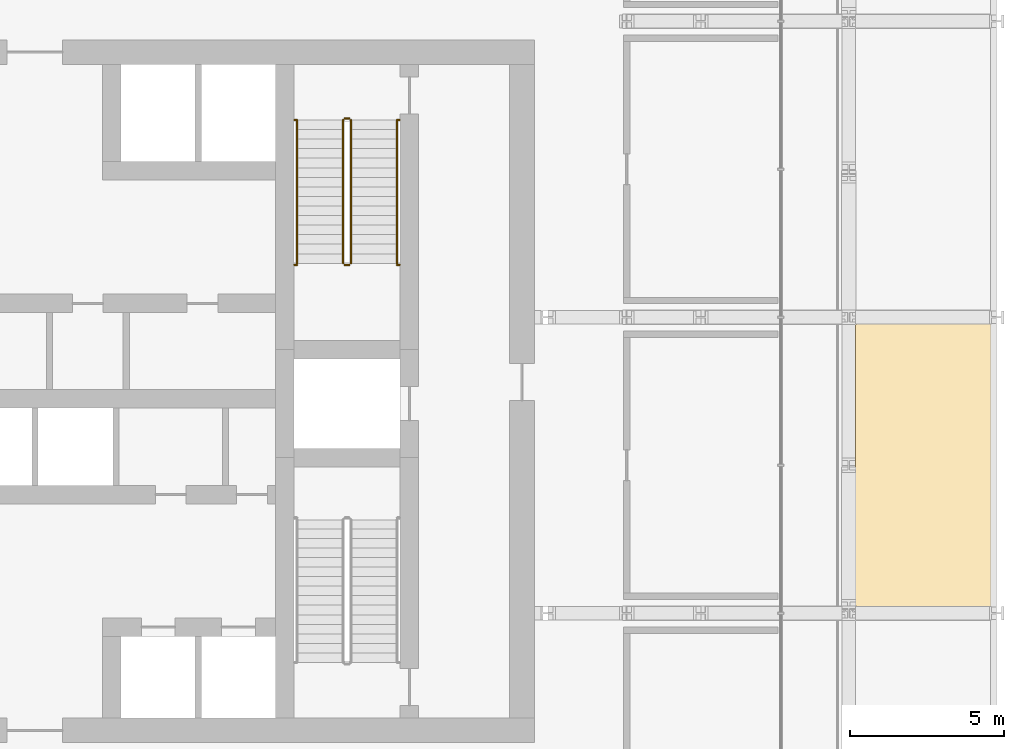
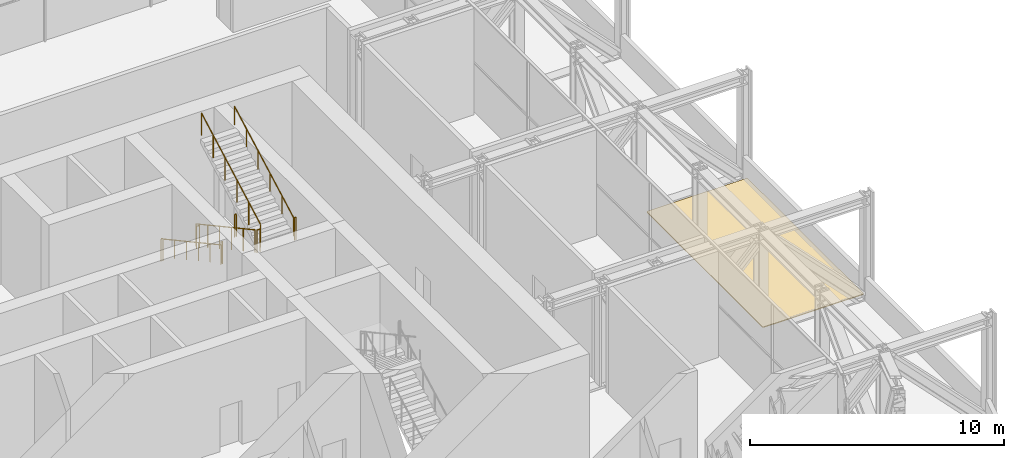
# One storey, part 24 of 25: 10 railings, 1 covering.
"""IFC4 building model written with IfcOpenShell, lengths in metres."""

from ifc_helpers import new_model, si_unit, direction, frame, origin, origin_2d, place, context, subcontext, project, spatial, polyline, circle, outline, extrude, material, layer, layer_set, type_object, element, save


model = new_model("IFC4")

# Units and contexts
model_context = context("Model", 3, precision=1e-05, world=origin(), true_north=direction((0.0, 1.0)))
body_context = subcontext(model_context, "Body", "Model", "MODEL_VIEW")
ifc_project = project(units=[si_unit("LENGTHUNIT", "METRE"), si_unit("AREAUNIT", "SQUARE_METRE"), si_unit("VOLUMEUNIT", "CUBIC_METRE"), si_unit("PLANEANGLEUNIT", "RADIAN"), si_unit("MASSUNIT", "GRAM", prefix="KILO")], contexts=[model_context])

# Site, building, storey
site_placement = place(None, origin())
site = spatial("IfcSite", under=ifc_project, at=site_placement, CompositionType="ELEMENT")
building_placement = place(site_placement, origin())
building = spatial("IfcBuilding", under=site, at=building_placement, Name="Madar Terraces", CompositionType="ELEMENT")
storey_placement = place(building_placement, frame((0.0, 0.0, 113.699951171875)))
storey = spatial("IfcBuildingStorey", under=building, at=storey_placement, Name="L29", CompositionType="ELEMENT", Elevation=113.699951171875)

# Railings
ifc_material_1 = material(Name="Stainless steel railing", Category="steel")
railing_type_1 = type_object("IfcRailingType", Name="Stair guard 1100", PredefinedType="GUARDRAIL", material=ifc_material_1)
railing_1_placement = place(storey_placement, frame((41.199951171875, 35.199951171875, 0.168701171875)))
element("IfcRailing", 1, at=railing_1_placement, inside=storey, type_object=railing_type_1, Name="L29 ST2 stair guard 1", PredefinedType="GUARDRAIL", context=body_context, shape_type="SweptSolid", body=[
    extrude(circle(Radius=0.02392578125, at=origin_2d()), frame((0.0, 0.0, 1.076171875), z_axis=(0.0, -0.878297076953, 0.478115304728), x_axis=(1.0, 0.0, 0.0)), (0.0, 0.0, 1.0), 5.294189453125),
    extrude(circle(Radius=0.02099609375, at=origin_2d()), origin(), (0.0, 0.0, 1.0), 1.052001953125),
    extrude(circle(Radius=0.02099609375, at=origin_2d()), frame((0.0, -0.929931640625, 0.50634765625)), (0.0, 0.0, 1.0), 1.052001953125),
    extrude(circle(Radius=0.02099609375, at=origin_2d()), frame((0.0, -1.85986328125, 1.012451171875)), (0.0, 0.0, 1.0), 1.052001953125),
    extrude(circle(Radius=0.02099609375, at=origin_2d()), frame((0.0, -2.7900390625, 1.518798828125)), (0.0, 0.0, 1.0), 1.052001953125),
    extrude(circle(Radius=0.02099609375, at=origin_2d()), frame((0.0, -3.719970703125, 2.02490234375)), (0.0, 0.0, 1.0), 1.052001953125),
    extrude(circle(Radius=0.02099609375, at=origin_2d()), frame((0.0, -4.64990234375, 2.53125)), (0.0, 0.0, 1.0), 1.052001953125),
])
railing_2_placement = place(storey_placement, frame((41.25, 30.5, 2.699951171875)))
element("IfcRailing", 2, at=railing_2_placement, inside=storey, type_object=railing_type_1, Name="L29 ST2 stair guard 2", PredefinedType="GUARDRAIL", context=body_context, shape_type="SweptSolid", body=[
    extrude(circle(Radius=0.02392578125, at=origin_2d()), frame((0.0, 0.0, 1.076171875), z_axis=(1.0, 0.0, 0.0), x_axis=(0.0, 1.0, 0.0)), (0.0, 0.0, 1.0), 0.14990234375),
    extrude(circle(Radius=0.02099609375, at=origin_2d()), origin(), (0.0, 0.0, 1.0), 1.052001953125),
    extrude(circle(Radius=0.02099609375, at=origin_2d()), frame((0.14990234375, 0.0, 0.0)), (0.0, 0.0, 1.0), 1.052001953125),
])
railing_3_placement = place(storey_placement, frame((41.449951171875, 30.550048828125, 2.868896484375)))
element("IfcRailing", 3, at=railing_3_placement, inside=storey, type_object=railing_type_1, Name="L29 ST2 stair guard 3", PredefinedType="GUARDRAIL", context=body_context, shape_type="SweptSolid", body=[
    extrude(circle(Radius=0.02392578125, at=origin_2d()), frame((0.0, 0.0, 1.076171875), z_axis=(0.0, 0.878297076953, 0.478115304728), x_axis=(-1.0, 0.0, 0.0)), (0.0, 0.0, 1.0), 5.294189453125),
    extrude(circle(Radius=0.02099609375, at=origin_2d()), origin(), (0.0, 0.0, 1.0), 1.052001953125),
    extrude(circle(Radius=0.02099609375, at=origin_2d()), frame((0.0, 0.929931640625, 0.50634765625)), (0.0, 0.0, 1.0), 1.052001953125),
    extrude(circle(Radius=0.02099609375, at=origin_2d()), frame((0.0, 1.85986328125, 1.012451171875)), (0.0, 0.0, 1.0), 1.052001953125),
    extrude(circle(Radius=0.02099609375, at=origin_2d()), frame((0.0, 2.7900390625, 1.518798828125)), (0.0, 0.0, 1.0), 1.052001953125),
    extrude(circle(Radius=0.02099609375, at=origin_2d()), frame((0.0, 3.719970703125, 2.02490234375)), (0.0, 0.0, 1.0), 1.052001953125),
    extrude(circle(Radius=0.02099609375, at=origin_2d()), frame((0.0, 4.64990234375, 2.53125)), (0.0, 0.0, 1.0), 1.052001953125),
])
railing_4_placement = place(storey_placement, frame((41.25, 35.25, 0.0)))
element("IfcRailing", 4, at=railing_4_placement, inside=storey, type_object=railing_type_1, Name="L29 ST2 stair guard 4", PredefinedType="GUARDRAIL", context=body_context, shape_type="SweptSolid", body=[
    extrude(circle(Radius=0.02392578125, at=origin_2d()), frame((0.0, 0.0, 1.076171875), z_axis=(1.0, 0.0, 0.0), x_axis=(0.0, 1.0, 0.0)), (0.0, 0.0, 1.0), 0.14990234375),
    extrude(circle(Radius=0.02099609375, at=origin_2d()), origin(), (0.0, 0.0, 1.0), 1.052001953125),
    extrude(circle(Radius=0.02099609375, at=origin_2d()), frame((0.14990234375, 0.0, 0.0)), (0.0, 0.0, 1.0), 1.052001953125),
])
railing_5_placement = place(storey_placement, frame((39.6201171875, 30.5, 2.699951171875)))
element("IfcRailing", 5, at=railing_5_placement, inside=storey, type_object=railing_type_1, Name="L29 stair guard seat 1", PredefinedType="GUARDRAIL", context=body_context, shape_type="SweptSolid", body=[
    extrude(circle(Radius=0.02392578125, at=origin_2d()), frame((0.0, 0.0, 1.076171875), z_axis=(1.0, 0.0, 0.0), x_axis=(0.0, 1.0, 0.0)), (0.0, 0.0, 1.0), 0.079833984375),
    extrude(circle(Radius=0.02099609375, at=origin_2d()), origin(), (0.0, 0.0, 1.0), 1.052001953125),
    extrude(circle(Radius=0.02099609375, at=origin_2d()), frame((0.079833984375, 0.0, 0.0)), (0.0, 0.0, 1.0), 1.052001953125),
])
railing_6_placement = place(storey_placement, frame((42.949951171875, 30.5, 2.699951171875)))
element("IfcRailing", 6, at=railing_6_placement, inside=storey, type_object=railing_type_1, Name="L29 stair guard seat 2", PredefinedType="GUARDRAIL", context=body_context, shape_type="SweptSolid", body=[
    extrude(circle(Radius=0.02392578125, at=origin_2d()), frame((0.0, 0.0, 1.076171875), z_axis=(1.0, 0.0, 0.0), x_axis=(0.0, 1.0, 0.0)), (0.0, 0.0, 1.0), 0.080078125),
    extrude(circle(Radius=0.02099609375, at=origin_2d()), origin(), (0.0, 0.0, 1.0), 1.052001953125),
    extrude(circle(Radius=0.02099609375, at=origin_2d()), frame((0.080078125, 0.0, 0.0)), (0.0, 0.0, 1.0), 1.052001953125),
])
railing_7_placement = place(storey_placement, frame((39.6201171875, 35.199951171875, 0.0)))
element("IfcRailing", 7, at=railing_7_placement, inside=storey, type_object=railing_type_1, Name="L29 stair guard floor 1", PredefinedType="GUARDRAIL", context=body_context, shape_type="SweptSolid", body=[
    extrude(circle(Radius=0.02392578125, at=origin_2d()), frame((0.0, 0.0, 1.076171875), z_axis=(1.0, 0.0, 0.0), x_axis=(0.0, 1.0, 0.0)), (0.0, 0.0, 1.0), 0.079833984375),
    extrude(circle(Radius=0.02099609375, at=origin_2d()), origin(), (0.0, 0.0, 1.0), 1.052001953125),
    extrude(circle(Radius=0.02099609375, at=origin_2d()), frame((0.079833984375, 0.0, 0.0)), (0.0, 0.0, 1.0), 1.052001953125),
])
railing_8_placement = place(storey_placement, frame((42.949951171875, 35.199951171875, 0.0)))
element("IfcRailing", 8, at=railing_8_placement, inside=storey, type_object=railing_type_1, Name="L29 stair guard floor 2", PredefinedType="GUARDRAIL", context=body_context, shape_type="SweptSolid", body=[
    extrude(circle(Radius=0.02392578125, at=origin_2d()), frame((0.0, 0.0, 1.076171875), z_axis=(1.0, 0.0, 0.0), x_axis=(0.0, 1.0, 0.0)), (0.0, 0.0, 1.0), 0.080078125),
    extrude(circle(Radius=0.02099609375, at=origin_2d()), origin(), (0.0, 0.0, 1.0), 1.052001953125),
    extrude(circle(Radius=0.02099609375, at=origin_2d()), frame((0.080078125, 0.0, 0.0)), (0.0, 0.0, 1.0), 1.052001953125),
])
ifc_material_2 = material(Name="Stainless steel railing", Category="steel")
railing_type_2 = type_object("IfcRailingType", Name="Stair handrail 900", PredefinedType="HANDRAIL", material=ifc_material_2)
railing_9_placement = place(storey_placement, frame((39.699951171875, 35.199951171875, 0.168701171875)))
element("IfcRailing", 9, at=railing_9_placement, inside=storey, type_object=railing_type_2, Name="L29 ST2 stair handrail 1", PredefinedType="HANDRAIL", context=body_context, shape_type="SweptSolid", body=[
    extrude(circle(Radius=0.02392578125, at=origin_2d()), frame((0.0, 0.0, 0.8759765625), z_axis=(0.0, -0.878297076953, 0.478115304728), x_axis=(1.0, 0.0, 0.0)), (0.0, 0.0, 1.0), 5.294189453125),
    extrude(circle(Radius=0.02099609375, at=origin_2d()), origin(), (0.0, 0.0, 1.0), 0.851806640625),
    extrude(circle(Radius=0.02099609375, at=origin_2d()), frame((0.0, -0.929931640625, 0.50634765625)), (0.0, 0.0, 1.0), 0.851806640625),
    extrude(circle(Radius=0.02099609375, at=origin_2d()), frame((0.0, -1.85986328125, 1.012451171875)), (0.0, 0.0, 1.0), 0.851806640625),
    extrude(circle(Radius=0.02099609375, at=origin_2d()), frame((0.0, -2.7900390625, 1.518798828125)), (0.0, 0.0, 1.0), 0.851806640625),
    extrude(circle(Radius=0.02099609375, at=origin_2d()), frame((0.0, -3.719970703125, 2.02490234375)), (0.0, 0.0, 1.0), 0.851806640625),
    extrude(circle(Radius=0.02099609375, at=origin_2d()), frame((0.0, -4.64990234375, 2.53125)), (0.0, 0.0, 1.0), 0.851806640625),
])
railing_10_placement = place(storey_placement, frame((42.949951171875, 30.550048828125, 2.868896484375)))
element("IfcRailing", 10, at=railing_10_placement, inside=storey, type_object=railing_type_2, Name="L29 ST2 stair handrail 2", PredefinedType="HANDRAIL", context=body_context, shape_type="SweptSolid", body=[
    extrude(circle(Radius=0.02392578125, at=origin_2d()), frame((0.0, 0.0, 0.8759765625), z_axis=(0.0, 0.878297076953, 0.478115304728), x_axis=(-1.0, 0.0, 0.0)), (0.0, 0.0, 1.0), 5.294189453125),
    extrude(circle(Radius=0.02099609375, at=origin_2d()), origin(), (0.0, 0.0, 1.0), 0.851806640625),
    extrude(circle(Radius=0.02099609375, at=origin_2d()), frame((0.0, 0.929931640625, 0.50634765625)), (0.0, 0.0, 1.0), 0.851806640625),
    extrude(circle(Radius=0.02099609375, at=origin_2d()), frame((0.0, 1.85986328125, 1.012451171875)), (0.0, 0.0, 1.0), 0.851806640625),
    extrude(circle(Radius=0.02099609375, at=origin_2d()), frame((0.0, 2.7900390625, 1.518798828125)), (0.0, 0.0, 1.0), 0.851806640625),
    extrude(circle(Radius=0.02099609375, at=origin_2d()), frame((0.0, 3.719970703125, 2.02490234375)), (0.0, 0.0, 1.0), 0.851806640625),
    extrude(circle(Radius=0.02099609375, at=origin_2d()), frame((0.0, 4.64990234375, 2.53125)), (0.0, 0.0, 1.0), 0.851806640625),
])

# Covering
ifc_material_3 = material(Name="Porcelain paving slabs on pedestals")
ifc_layer = layer(ifc_material_3, 0.0400390625)
ifc_layer_set = layer_set([ifc_layer], Name="Terrace paving 40")
covering_type = type_object("IfcCoveringType", Name="Terrace paving 40", PredefinedType="FLOORING", material=ifc_layer_set)
covering_placement = place(storey_placement, origin())
element("IfcCovering", 11, at=covering_placement, inside=storey, type_object=covering_type, Name="Terrace paving", PredefinedType="FLOORING", context=body_context, shape_type="SweptSolid", body=[
    extrude(outline(polyline([(62.397705078125, 19.45654296875), (62.396240234375, 19.451904296875), (62.39404296875, 19.447509765625), (62.3916015625, 19.443115234375), (62.388671875, 19.439208984375), (62.385498046875, 19.435546875), (62.381591796875, 19.432373046875), (62.377685546875, 19.429443359375), (62.37353515625, 19.427001953125), (62.369140625, 19.4248046875), (62.364501953125, 19.423095703125), (62.35986328125, 19.421875), (62.35498046875, 19.421142578125), (62.35009765625, 19.4208984375), (57.87109375, 19.4208984375), (57.8662109375, 19.421142578125), (57.861083984375, 19.421875), (57.8564453125, 19.423095703125), (57.851806640625, 19.4248046875), (57.847412109375, 19.427001953125), (57.84326171875, 19.429443359375), (57.83935546875, 19.432373046875), (57.835693359375, 19.435546875), (57.832275390625, 19.439208984375), (57.829345703125, 19.443115234375), (57.826904296875, 19.447509765625), (57.82470703125, 19.451904296875), (57.822998046875, 19.45654296875), (57.822021484375, 19.461181640625), (57.8212890625, 19.466064453125), (57.821044921875, 19.470947265625), (57.821044921875, 28.529052734375), (57.8212890625, 28.533935546875), (57.822021484375, 28.538818359375), (57.822998046875, 28.54345703125), (57.82470703125, 28.548095703125), (57.826904296875, 28.552490234375), (57.829345703125, 28.556884765625), (57.832275390625, 28.560791015625), (57.835693359375, 28.564453125), (57.83935546875, 28.567626953125), (57.84326171875, 28.570556640625), (57.847412109375, 28.572998046875), (57.851806640625, 28.5751953125), (57.8564453125, 28.576904296875), (57.861083984375, 28.578125), (57.8662109375, 28.578857421875), (57.87109375, 28.5791015625), (62.35009765625, 28.5791015625), (62.35498046875, 28.578857421875), (62.35986328125, 28.578125), (62.364501953125, 28.576904296875), (62.369140625, 28.5751953125), (62.37353515625, 28.572998046875), (62.377685546875, 28.570556640625), (62.381591796875, 28.567626953125), (62.385498046875, 28.564453125), (62.388671875, 28.560791015625), (62.3916015625, 28.556884765625), (62.39404296875, 28.552490234375), (62.396240234375, 28.548095703125), (62.397705078125, 28.54345703125), (62.39892578125, 28.538818359375), (62.39990234375, 28.533935546875), (62.39990234375, 28.529052734375), (62.39990234375, 19.470947265625), (62.39990234375, 19.466064453125), (62.39892578125, 19.461181640625), (62.397705078125, 19.45654296875)])), origin(), (0.0, 0.0, 1.0), 0.0400390625),
])

save(model, "model.ifc")
